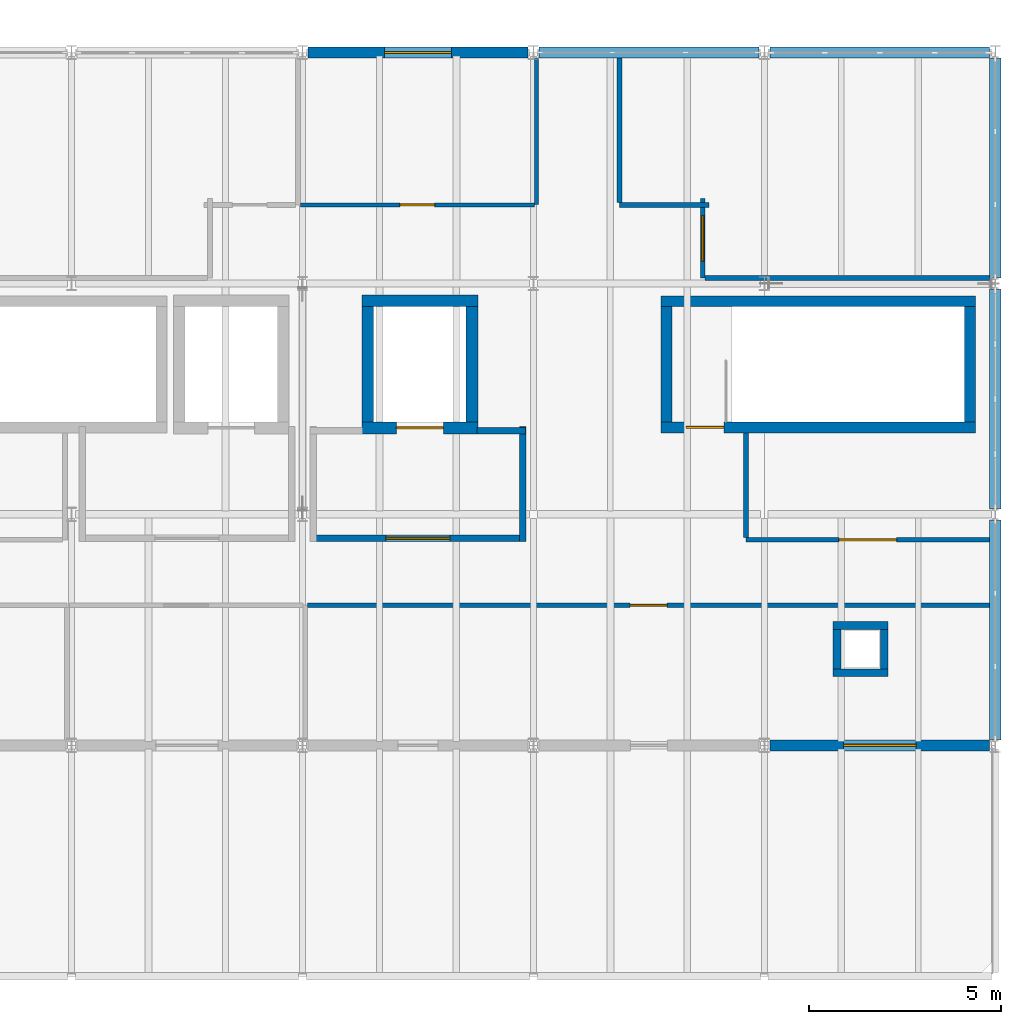
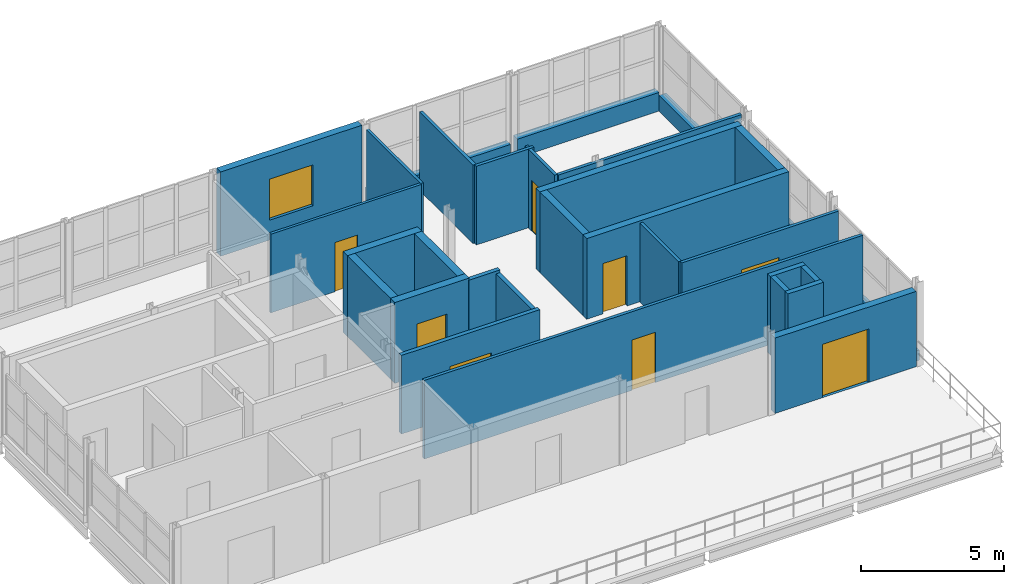
# One storey, part 17 of 20: 31 walls, 8 doors, 1 window, 9 openings.
"""IFC4 building model written with IfcOpenShell, lengths in metres."""

from ifc_helpers import new_model, si_unit, direction, frame, frame_2d, origin, place, context, subcontext, project, spatial, rectangle, extrude, material, layer, layer_set, type_object, element, fill, save


model = new_model("IFC4")

# Units and contexts
model_context = context("Model", 3, precision=1e-05, world=origin(), true_north=direction((0.0, 1.0)))
body_context = subcontext(model_context, "Body", "Model", "MODEL_VIEW")
ifc_project = project(units=[si_unit("LENGTHUNIT", "METRE"), si_unit("AREAUNIT", "SQUARE_METRE"), si_unit("VOLUMEUNIT", "CUBIC_METRE"), si_unit("PLANEANGLEUNIT", "RADIAN"), si_unit("MASSUNIT", "GRAM", prefix="KILO")], contexts=[model_context])

# Site, building, storey
site_placement = place(None, origin())
site = spatial("IfcSite", under=ifc_project, at=site_placement, CompositionType="ELEMENT")
building_placement = place(site_placement, origin())
building = spatial("IfcBuilding", under=site, at=building_placement, Name="Siltcreek Boulevard Central Fire Station", CompositionType="ELEMENT")
storey_placement = place(building_placement, frame((0.0, 0.0, 18.0)))
storey = spatial("IfcBuildingStorey", under=building, at=storey_placement, Name="L05", CompositionType="ELEMENT", Elevation=18.0)

# Wall, opening, door
ifc_material_1 = material(Name="Concrete C40/50", Category="concrete")
ifc_layer_1 = layer(ifc_material_1, 0.280029296875, Name="Concrete C40/50")
ifc_layer_set_1 = layer_set([ifc_layer_1], Name="Concrete C40/50")
wall_type_1 = type_object("IfcWallType", Name="CW_SHEAR280", PredefinedType="SHEAR", material=ifc_layer_set_1)
wall_1_placement = place(storey_placement, frame((145.52001953125, 102.4599609375, 0.0), z_axis=(0.0, 0.0, 1.0), x_axis=(1.0, 0.0, 0.0)))
wall_1 = element("IfcWall", 1, at=wall_1_placement, inside=storey, type_object=wall_type_1, Name="L05 ST-V5B stair enclosure south shear wall", PredefinedType="SHEAR", context=body_context, shape_type="SweptSolid", body=[
    extrude(rectangle(XDim=8.159912109375, YDim=0.280029296875, at=frame_2d((4.080078125, 0.0))), origin(), (0.0, 0.0, 1.0), 3.449951171875),
])
opening_1_placement = place(wall_1_placement, frame((0.64990234375, 0.0, 0.0)))
opening_1 = element("IfcOpeningElement", 2, at=opening_1_placement, cuts=wall_1, Name="Opening SD-043", PredefinedType="OPENING", context=body_context, shape_type="SweptSolid", body=[
    extrude(rectangle(XDim=0.97998046875, YDim=2.14990234375, at=frame_2d((0.489990234375, 1.074951171875))), frame((0.0, 0.14990234375, 0.0), z_axis=(0.0, -1.0, 0.0), x_axis=(1.0, 0.0, 0.0)), (0.0, 0.0, 1.0), 0.300048828125),
])
ifc_material_2 = material(Name="Hollow metal 90-min enclosed stair door")
door_type_1 = type_object("IfcDoorType", Name="DR_ST_098X215", OperationType="NOTDEFINED", PredefinedType="DOOR", material=ifc_material_2)
door_1_placement = place(opening_1_placement, origin())
door_1 = element("IfcDoor", 3, at=door_1_placement, inside=storey, type_object=door_type_1, Name="L05 ST-V5B enclosed exit stair door SD-043", OperationType="SINGLE_SWING_RIGHT", OverallHeight=2.14990234375, OverallWidth=0.97998046875, PredefinedType="DOOR", context=body_context, shape_type="SweptSolid", body=[
    extrude(rectangle(XDim=0.97998046875, YDim=2.14990234375, at=frame_2d((0.489990234375, 1.074951171875))), frame((0.0, 0.02490234375, 0.0), z_axis=(0.0, -1.0, 0.0), x_axis=(1.0, 0.0, 0.0)), (0.0, 0.0, 1.0), 0.050048828125),
])
fill(opening_1, door_1)

# Walls
wall_2_placement = place(storey_placement, frame((153.679931640625, 105.739990234375, 0.0), z_axis=(0.0, 0.0, 1.0), x_axis=(-1.0, 0.0, 0.0)))
element("IfcWall", 4, at=wall_2_placement, inside=storey, type_object=wall_type_1, Name="L05 ST-V5B stair enclosure north shear wall", PredefinedType="SHEAR", context=body_context, shape_type="SweptSolid", body=[
    extrude(rectangle(XDim=8.159912109375, YDim=0.280029296875, at=frame_2d((4.080078125, 0.0))), origin(), (0.0, 0.0, 1.0), 3.449951171875),
])
for number, where, z_axis, x_axis, name in (
    (5, (145.659912109375, 105.60009765625, 0.0), (0.0, 0.0, 1.0), (0.0, -1.0, 0.0), "L05 ST-V5B stair enclosure west shear wall"),
    (6, (153.5400390625, 102.60009765625, 0.0), (0.0, 0.0, 1.0), (0.0, 1.0, 0.0), "L05 ST-V5B stair enclosure east shear wall"),
):
    element("IfcWall", number, at=place(storey_placement, frame(where, z_axis=z_axis, x_axis=x_axis)), inside=storey, type_object=wall_type_1, Name=name, PredefinedType="SHEAR", context=body_context, shape_type="SweptSolid", body=[
        extrude(rectangle(XDim=3.0, YDim=0.280029296875, at=frame_2d((1.5, 0.0))), origin(), (0.0, 0.0, 1.0), 3.449951171875),
    ])

# Wall, opening, door
ifc_layer_2 = layer(ifc_material_1, 0.304931640625, Name="Concrete C40/50")
ifc_layer_set_2 = layer_set([ifc_layer_2], Name="Concrete C40/50")
wall_type_2 = type_object("IfcWallType", Name="CW_SHEAR305", PredefinedType="SHEAR", material=ifc_layer_set_2)
wall_3_placement = place(storey_placement, frame((137.7451171875, 102.447509765625, 0.0), z_axis=(0.0, 0.0, 1.0), x_axis=(1.0, 0.0, 0.0)))
wall_3 = element("IfcWall", 7, at=wall_3_placement, inside=storey, type_object=wall_type_2, Name="L05 EL-02 elevator shaft south shear wall", PredefinedType="SHEAR", context=body_context, shape_type="SweptSolid", body=[
    extrude(rectangle(XDim=3.009765625, YDim=0.304931640625, at=frame_2d((1.5048828125, 0.0))), origin(), (0.0, 0.0, 1.0), 3.449951171875),
])
opening_2_placement = place(wall_3_placement, frame((0.89501953125, 0.0, 0.0)))
opening_2 = element("IfcOpeningElement", 8, at=opening_2_placement, cuts=wall_3, Name="Opening LD02", PredefinedType="OPENING", context=body_context, shape_type="SweptSolid", body=[
    extrude(rectangle(XDim=1.219970703125, YDim=2.219970703125, at=frame_2d((0.60986328125, 1.10986328125))), frame((0.0, 0.162353515625, 0.0), z_axis=(0.0, -1.0, 0.0), x_axis=(1.0, 0.0, 0.0)), (0.0, 0.0, 1.0), 0.324951171875),
])
ifc_material_3 = material(Name="Stainless steel firefighting sliding elevator landing door", Category="steel")
door_type_2 = type_object("IfcDoorType", Name="DR_LD_122X222", OperationType="NOTDEFINED", PredefinedType="DOOR", material=ifc_material_3)
door_2_placement = place(opening_2_placement, origin())
door_2 = element("IfcDoor", 9, at=door_2_placement, inside=storey, type_object=door_type_2, Name="L05 EL-02 elevator sliding landing door LD-12", OperationType="SLIDING_TO_LEFT", OverallHeight=2.219970703125, OverallWidth=1.219970703125, PredefinedType="DOOR", context=body_context, shape_type="SweptSolid", body=[
    extrude(rectangle(XDim=1.219970703125, YDim=2.219970703125, at=frame_2d((0.60986328125, 1.10986328125))), frame((0.0, 0.02490234375, 0.0), z_axis=(0.0, -1.0, 0.0), x_axis=(1.0, 0.0, 0.0)), (0.0, 0.0, 1.0), 0.050048828125),
])
fill(opening_2, door_2)

# Walls
wall_4_placement = place(storey_placement, frame((140.7548828125, 105.75244140625, 0.0), z_axis=(0.0, 0.0, 1.0), x_axis=(-1.0, 0.0, 0.0)))
element("IfcWall", 10, at=wall_4_placement, inside=storey, type_object=wall_type_2, Name="L05 EL-02 elevator shaft north shear wall", PredefinedType="SHEAR", context=body_context, shape_type="SweptSolid", body=[
    extrude(rectangle(XDim=3.009765625, YDim=0.304931640625, at=frame_2d((1.5048828125, 0.0))), origin(), (0.0, 0.0, 1.0), 3.449951171875),
])
for number, where, z_axis, x_axis, name in (
    (11, (137.8974609375, 105.60009765625, 0.0), (0.0, 0.0, 1.0), (0.0, -1.0, 0.0), "L05 EL-02 elevator shaft west shear wall"),
    (12, (140.6025390625, 102.60009765625, 0.0), (0.0, 0.0, 1.0), (0.0, 1.0, 0.0), "L05 EL-02 elevator shaft east shear wall"),
):
    element("IfcWall", number, at=place(storey_placement, frame(where, z_axis=z_axis, x_axis=x_axis)), inside=storey, type_object=wall_type_2, Name=name, PredefinedType="SHEAR", context=body_context, shape_type="SweptSolid", body=[
        extrude(rectangle(XDim=3.0, YDim=0.304931640625, at=frame_2d((1.5, 0.0))), origin(), (0.0, 0.0, 1.0), 3.449951171875),
    ])

# Wall, opening, door
ifc_material_4 = material(Name="White ribbed aluminum spandrel wall", Category="aluminium")
ifc_layer_3 = layer(ifc_material_4, 0.2900390625, Name="White ribbed aluminum spandrel wall")
ifc_layer_set_3 = layer_set([ifc_layer_3], Name="White ribbed aluminum spandrel wall")
wall_type_3 = type_object("IfcWallType", Name="EW_METAL290", PredefinedType="STANDARD", material=ifc_layer_set_3)
wall_5_placement = place(storey_placement, frame((148.344970703125, 94.199951171875, 0.0), z_axis=(0.0, 0.0, 1.0), x_axis=(1.0, 0.0, 0.0)))
wall_5 = element("IfcWall", 13, at=wall_5_placement, inside=storey, type_object=wall_type_3, Name="L05 V5 exterior insulated rainscreen wall WL-EXT-L05-0417", PredefinedType="STANDARD", context=body_context, shape_type="SweptSolid", body=[
    extrude(rectangle(XDim=5.7099609375, YDim=0.2900390625, at=frame_2d((2.85498046875, 0.0))), origin(), (0.0, 0.0, 1.0), 3.218994140625),
])
opening_3_placement = place(wall_5_placement, frame((1.9150390625, 0.0, 0.0)))
opening_3 = element("IfcOpeningElement", 14, at=opening_3_placement, cuts=wall_5, Name="Opening TD-041", PredefinedType="OPENING", context=body_context, shape_type="SweptSolid", body=[
    extrude(rectangle(XDim=1.8798828125, YDim=2.280029296875, at=frame_2d((0.93994140625, 1.14013671875))), frame((0.0, 0.155029296875, 0.0), z_axis=(0.0, -1.0, 0.0), x_axis=(1.0, 0.0, 0.0)), (0.0, 0.0, 1.0), 0.31005859375),
])
ifc_material_5 = material(Name="Thermally broken glazed terrace double door")
door_type_3 = type_object("IfcDoorType", Name="DR_TER_188X228", OperationType="NOTDEFINED", PredefinedType="DOOR", material=ifc_material_5)
door_3_placement = place(opening_3_placement, frame((1.8798828125, 0.0, 0.0), z_axis=(0.0, 0.0, 1.0), x_axis=(-1.0, 0.0, 0.0)))
door_3 = element("IfcDoor", 15, at=door_3_placement, inside=storey, type_object=door_type_3, Name="L05 V5 outdoor terrace access door TD-041", OperationType="DOUBLE_DOOR_SINGLE_SWING", OverallHeight=2.280029296875, OverallWidth=1.8798828125, PredefinedType="DOOR", context=body_context, shape_type="SweptSolid", body=[
    extrude(rectangle(XDim=1.8798828125, YDim=2.280029296875, at=frame_2d((0.93994140625, 1.14013671875))), frame((0.0, 0.02490234375, 0.0), z_axis=(0.0, -1.0, 0.0), x_axis=(1.0, 0.0, 0.0)), (0.0, 0.0, 1.0), 0.050048828125),
])
fill(opening_3, door_3)

# Wall, opening, window
wall_6_placement = place(storey_placement, frame((142.054931640625, 112.199951171875, 0.0), z_axis=(0.0, 0.0, 1.0), x_axis=(-1.0, 0.0, 0.0)))
wall_6 = element("IfcWall", 16, at=wall_6_placement, inside=storey, type_object=wall_type_3, Name="L05 V5 exterior insulated rainscreen wall WL-EXT-L05-0420", PredefinedType="STANDARD", context=body_context, shape_type="SweptSolid", body=[
    extrude(rectangle(XDim=5.7099609375, YDim=0.2900390625, at=frame_2d((2.85498046875, 0.0))), origin(), (0.0, 0.0, 1.0), 3.60009765625),
])
opening_4_placement = place(wall_6_placement, frame((1.97998046875, 0.0, 0.85009765625)))
opening_4 = element("IfcOpeningElement", 17, at=opening_4_placement, cuts=wall_6, Name="Opening WN20", PredefinedType="OPENING", context=body_context, shape_type="SweptSolid", body=[
    extrude(rectangle(XDim=1.75, YDim=1.75, at=frame_2d((0.875, 0.875))), frame((0.0, 0.155029296875, 0.0), z_axis=(0.0, -1.0, 0.0), x_axis=(1.0, 0.0, 0.0)), (0.0, 0.0, 1.0), 0.31005859375),
])
ifc_material_6 = material(Name="Thermally broken aluminum frame with low-E insulated glass", Category="aluminium")
window_type = type_object("IfcWindowType", Name="WN_PB_175X175", PartitioningType="SINGLE_PANEL", PredefinedType="WINDOW", material=ifc_material_6)
window_placement = place(opening_4_placement, origin())
window = element("IfcWindow", 18, at=window_placement, inside=storey, type_object=window_type, Name="L05 V5 exterior window WN-0161", OverallHeight=1.75, OverallWidth=1.75, PartitioningType="SINGLE_PANEL", PredefinedType="WINDOW", context=body_context, shape_type="SweptSolid", body=[
    extrude(rectangle(XDim=1.75, YDim=1.75, at=frame_2d((0.875, 0.875))), frame((0.0, 0.030029296875, 0.0), z_axis=(0.0, -1.0, 0.0), x_axis=(1.0, 0.0, 0.0)), (0.0, 0.0, 1.0), 0.06005859375),
])
fill(opening_4, window)

# Walls
wall_7_placement = place(storey_placement, frame((148.054931640625, 112.199951171875, 0.0), z_axis=(0.0, 0.0, 1.0), x_axis=(-1.0, 0.0, 0.0)))
element("IfcWall", 19, at=wall_7_placement, inside=storey, type_object=wall_type_3, Name="L05 V5 curtain-wall sill spandrel 0421", PredefinedType="STANDARD", context=body_context, shape_type="SweptSolid", body=[
    extrude(rectangle(XDim=5.7099609375, YDim=0.2900390625, at=frame_2d((2.85498046875, 0.0))), origin(), (0.0, 0.0, 1.0), 0.679931640625),
])
wall_8_placement = place(storey_placement, frame((154.054931640625, 112.199951171875, 0.0), z_axis=(0.0, 0.0, 1.0), x_axis=(-1.0, 0.0, 0.0)))
element("IfcWall", 20, at=wall_8_placement, inside=storey, type_object=wall_type_3, Name="L05 V5 curtain-wall sill spandrel 0422", PredefinedType="STANDARD", context=body_context, shape_type="SweptSolid", body=[
    extrude(rectangle(XDim=5.7099609375, YDim=0.2900390625, at=frame_2d((2.85498046875, 0.0))), origin(), (0.0, 0.0, 1.0), 0.800048828125),
])
wall_9_placement = place(storey_placement, frame((154.199951171875, 94.344970703125, 0.0), z_axis=(0.0, 0.0, 1.0), x_axis=(0.0, 1.0, 0.0)))
element("IfcWall", 21, at=wall_9_placement, inside=storey, type_object=wall_type_3, Name="L05 V5 curtain-wall sill spandrel 0426", PredefinedType="STANDARD", context=body_context, shape_type="SweptSolid", body=[
    extrude(rectangle(XDim=5.7099609375, YDim=0.2900390625, at=frame_2d((2.85498046875, 0.0))), origin(), (0.0, 0.0, 1.0), 0.43994140625),
])
wall_10_placement = place(storey_placement, frame((154.199951171875, 100.344970703125, 0.0), z_axis=(0.0, 0.0, 1.0), x_axis=(0.0, 1.0, 0.0)))
element("IfcWall", 22, at=wall_10_placement, inside=storey, type_object=wall_type_3, Name="L05 V5 curtain-wall sill spandrel 0427", PredefinedType="STANDARD", context=body_context, shape_type="SweptSolid", body=[
    extrude(rectangle(XDim=5.7099609375, YDim=0.2900390625, at=frame_2d((2.85498046875, 0.0))), origin(), (0.0, 0.0, 1.0), 0.56005859375),
])
wall_11_placement = place(storey_placement, frame((154.199951171875, 106.344970703125, 0.0), z_axis=(0.0, 0.0, 1.0), x_axis=(0.0, 1.0, 0.0)))
element("IfcWall", 23, at=wall_11_placement, inside=storey, type_object=wall_type_3, Name="L05 V5 curtain-wall sill spandrel 0428", PredefinedType="STANDARD", context=body_context, shape_type="SweptSolid", body=[
    extrude(rectangle(XDim=5.7099609375, YDim=0.2900390625, at=frame_2d((2.85498046875, 0.0))), origin(), (0.0, 0.0, 1.0), 0.679931640625),
])
ifc_material_7 = material(Name="Fire-rated concrete masonry and gypsum barrier", Category="masonry")
ifc_layer_4 = layer(ifc_material_7, 0.199951171875, Name="Fire-rated concrete masonry and gypsum barrier")
ifc_layer_set_4 = layer_set([ifc_layer_4], Name="Fire-rated concrete masonry and gypsum barrier")
wall_type_4 = type_object("IfcWallType", Name="IW_FIRE200", PredefinedType="PARTITIONING", material=ifc_layer_set_4)
wall_12_placement = place(storey_placement, frame((149.985107421875, 96.0849609375, 0.0), z_axis=(0.0, 0.0, 1.0), x_axis=(1.0, 0.0, 0.0)))
element("IfcWall", 24, at=wall_12_placement, inside=storey, type_object=wall_type_4, Name="L05 enclosed MEP service riser wall 030-S", PredefinedType="PARTITIONING", context=body_context, shape_type="SweptSolid", body=[
    extrude(rectangle(XDim=1.429931640625, YDim=0.199951171875, at=frame_2d((0.71484375, 0.0))), origin(), (0.0, 0.0, 1.0), 3.360107421875),
])
wall_13_placement = place(storey_placement, frame((151.31494140625, 96.18505859375, 0.0), z_axis=(0.0, 0.0, 1.0), x_axis=(0.0, 1.0, 0.0)))
element("IfcWall", 25, at=wall_13_placement, inside=storey, type_object=wall_type_4, Name="L05 enclosed MEP service riser wall 030-E", PredefinedType="PARTITIONING", context=body_context, shape_type="SweptSolid", body=[
    extrude(rectangle(XDim=1.030029296875, YDim=0.199951171875, at=frame_2d((0.51513671875, 0.0))), origin(), (0.0, 0.0, 1.0), 3.360107421875),
])
wall_14_placement = place(storey_placement, frame((151.4150390625, 97.31494140625, 0.0), z_axis=(0.0, 0.0, 1.0), x_axis=(-1.0, 0.0, 0.0)))
element("IfcWall", 26, at=wall_14_placement, inside=storey, type_object=wall_type_4, Name="L05 enclosed MEP service riser wall 030-N", PredefinedType="PARTITIONING", context=body_context, shape_type="SweptSolid", body=[
    extrude(rectangle(XDim=1.429931640625, YDim=0.199951171875, at=frame_2d((0.71484375, 0.0))), origin(), (0.0, 0.0, 1.0), 3.360107421875),
])
wall_15_placement = place(storey_placement, frame((150.0849609375, 97.215087890625, 0.0), z_axis=(0.0, 0.0, 1.0), x_axis=(0.0, -1.0, 0.0)))
element("IfcWall", 27, at=wall_15_placement, inside=storey, type_object=wall_type_4, Name="L05 enclosed MEP service riser wall 030-W", PredefinedType="PARTITIONING", context=body_context, shape_type="SweptSolid", body=[
    extrude(rectangle(XDim=1.030029296875, YDim=0.199951171875, at=frame_2d((0.51513671875, 0.0))), origin(), (0.0, 0.0, 1.0), 3.360107421875),
])

# Wall, opening, door
ifc_material_8 = material(Name="Interior steel stud gypsum partition", Category="steel")
ifc_layer_5 = layer(ifc_material_8, 0.125, Name="Interior steel stud gypsum partition")
ifc_layer_set_5 = layer_set([ifc_layer_5], Name="Interior steel stud gypsum partition")
wall_type_5 = type_object("IfcWallType", Name="IW_PART125", PredefinedType="PARTITIONING", material=ifc_layer_set_5)
wall_16_placement = place(storey_placement, frame((136.33251953125, 97.840087890625, 0.0), z_axis=(0.0, 0.0, 1.0), x_axis=(1.0, 0.0, 0.0)))
wall_16 = element("IfcWall", 28, at=wall_16_placement, inside=storey, type_object=wall_type_5, Name="L05 Emergency Operations Hall partition 0335", PredefinedType="PARTITIONING", context=body_context, shape_type="SweptSolid", body=[
    extrude(rectangle(XDim=17.722412109375, YDim=0.125, at=frame_2d((8.861328125, 0.0))), origin(), (0.0, 0.0, 1.0), 3.360107421875),
])
opening_5_placement = place(wall_16_placement, frame((8.381103515625, 0.0, 0.0)))
opening_5 = element("IfcOpeningElement", 29, at=opening_5_placement, cuts=wall_16, Name="Opening ID02", PredefinedType="OPENING", context=body_context, shape_type="SweptSolid", body=[
    extrude(rectangle(XDim=0.9599609375, YDim=2.14990234375, at=frame_2d((0.47998046875, 1.074951171875))), frame((0.0, 0.072509765625, 0.0), z_axis=(0.0, -1.0, 0.0), x_axis=(1.0, 0.0, 0.0)), (0.0, 0.0, 1.0), 0.14501953125),
])
ifc_material_9 = material(Name="Solid-core timber headquarters office door", Category="wood")
door_type_4 = type_object("IfcDoorType", Name="DR_OFF_096X215", OperationType="NOTDEFINED", PredefinedType="DOOR", material=ifc_material_9)
door_4_placement = place(opening_5_placement, origin())
door_4 = element("IfcDoor", 30, at=door_4_placement, inside=storey, type_object=door_type_4, Name="L05 Emergency Operations Hall door ID-0147", OperationType="SINGLE_SWING_RIGHT", OverallHeight=2.14990234375, OverallWidth=0.9599609375, PredefinedType="DOOR", context=body_context, shape_type="SweptSolid", body=[
    extrude(rectangle(XDim=0.9599609375, YDim=2.14990234375, at=frame_2d((0.47998046875, 1.074951171875))), frame((0.0, 0.02490234375, 0.0), z_axis=(0.0, -1.0, 0.0), x_axis=(1.0, 0.0, 0.0)), (0.0, 0.0, 1.0), 0.050048828125),
])
fill(opening_5, door_4)

wall_17_placement = place(storey_placement, frame((146.60009765625, 106.33740234375, 0.0), z_axis=(0.0, 0.0, 1.0), x_axis=(0.0, 1.0, 0.0)))
wall_17 = element("IfcWall", 31, at=wall_17_placement, inside=storey, type_object=wall_type_5, Name="L05 Regional Situation Briefing Room partition 0345", PredefinedType="PARTITIONING", context=body_context, shape_type="SweptSolid", body=[
    extrude(rectangle(XDim=2.065185546875, YDim=0.125, at=frame_2d((1.03271484375, 0.0))), origin(), (0.0, 0.0, 1.0), 3.360107421875),
])
opening_6_placement = place(wall_17_placement, frame((0.4423828125, 0.0, 0.0)))
opening_6 = element("IfcOpeningElement", 32, at=opening_6_placement, cuts=wall_17, Name="Opening ID13", PredefinedType="OPENING", context=body_context, shape_type="SweptSolid", body=[
    extrude(rectangle(XDim=1.179931640625, YDim=2.159912109375, at=frame_2d((0.58984375, 1.080078125))), frame((0.0, 0.072509765625, 0.0), z_axis=(0.0, -1.0, 0.0), x_axis=(1.0, 0.0, 0.0)), (0.0, 0.0, 1.0), 0.14501953125),
])
ifc_material_10 = material(Name="Antimicrobial walk-in triage door")
door_type_5 = type_object("IfcDoorType", Name="DR_MED_118X216", OperationType="NOTDEFINED", PredefinedType="DOOR", material=ifc_material_10)
door_5_placement = place(opening_6_placement, origin())
door_5 = element("IfcDoor", 33, at=door_5_placement, inside=storey, type_object=door_type_5, Name="L05 Regional Situation Briefing Room door ID-0152", OperationType="SINGLE_SWING_LEFT", OverallHeight=2.159912109375, OverallWidth=1.179931640625, PredefinedType="DOOR", context=body_context, shape_type="SweptSolid", body=[
    extrude(rectangle(XDim=1.179931640625, YDim=2.159912109375, at=frame_2d((0.58984375, 1.080078125))), frame((0.0, 0.02490234375, 0.0), z_axis=(0.0, -1.0, 0.0), x_axis=(1.0, 0.0, 0.0)), (0.0, 0.0, 1.0), 0.050048828125),
])
fill(opening_6, door_5)

# Walls
wall_18_placement = place(storey_placement, frame((146.762451171875, 108.239990234375, 0.0), z_axis=(0.0, 0.0, 1.0), x_axis=(-1.0, 0.0, 0.0)))
element("IfcWall", 34, at=wall_18_placement, inside=storey, type_object=wall_type_5, Name="L05 Regional Situation Briefing Room partition 0346", PredefinedType="PARTITIONING", context=body_context, shape_type="SweptSolid", body=[
    extrude(rectangle(XDim=2.324951171875, YDim=0.125, at=frame_2d((1.16259765625, 0.0))), origin(), (0.0, 0.0, 1.0), 3.360107421875),
])
wall_19_placement = place(storey_placement, frame((144.43994140625, 108.302490234375, 0.0), z_axis=(0.0, 0.0, 1.0), x_axis=(0.0, 1.0, 0.0)))
element("IfcWall", 35, at=wall_19_placement, inside=storey, type_object=wall_type_5, Name="L05 Regional Situation Briefing Room partition 0347", PredefinedType="PARTITIONING", context=body_context, shape_type="SweptSolid", body=[
    extrude(rectangle(XDim=3.75244140625, YDim=0.125, at=frame_2d((1.876220703125, 0.0))), origin(), (0.0, 0.0, 1.0), 3.360107421875),
])
wall_20_placement = place(storey_placement, frame((154.054931640625, 106.340087890625, 0.0), z_axis=(0.0, 0.0, 1.0), x_axis=(-1.0, 0.0, 0.0)))
element("IfcWall", 36, at=wall_20_placement, inside=storey, type_object=wall_type_5, Name="L05 Regional Situation Briefing Room partition 0348", PredefinedType="PARTITIONING", context=body_context, shape_type="SweptSolid", body=[
    extrude(rectangle(XDim=7.392333984375, YDim=0.125, at=frame_2d((3.6962890625, 0.0))), origin(), (0.0, 0.0, 1.0), 3.360107421875),
])

# Wall, opening, door
wall_21_placement = place(storey_placement, frame((154.054931640625, 99.5400390625, 0.0), z_axis=(0.0, 0.0, 1.0), x_axis=(-1.0, 0.0, 0.0)))
wall_21 = element("IfcWall", 37, at=wall_21_placement, inside=storey, type_object=wall_type_5, Name="L05 Emergency Logistics Planning Office partition 0349", PredefinedType="PARTITIONING", context=body_context, shape_type="SweptSolid", body=[
    extrude(rectangle(XDim=6.33740234375, YDim=0.125, at=frame_2d((3.168701171875, 0.0))), origin(), (0.0, 0.0, 1.0), 3.360107421875),
])
opening_7_placement = place(wall_21_placement, frame((2.418701171875, 0.0, 0.0)))
opening_7 = element("IfcOpeningElement", 38, at=opening_7_placement, cuts=wall_21, Name="Opening ID14", PredefinedType="OPENING", context=body_context, shape_type="SweptSolid", body=[
    extrude(rectangle(XDim=1.5, YDim=2.219970703125, at=frame_2d((0.75, 1.10986328125))), frame((0.0, 0.072509765625, 0.0), z_axis=(0.0, -1.0, 0.0), x_axis=(1.0, 0.0, 0.0)), (0.0, 0.0, 1.0), 0.14501953125),
])
ifc_material_11 = material(Name="Glazed conditioning gym pair")
door_type_6 = type_object("IfcDoorType", Name="DR_GYM_150X222", OperationType="NOTDEFINED", PredefinedType="DOOR", material=ifc_material_11)
door_6_placement = place(opening_7_placement, frame((1.5, 0.0, 0.0), z_axis=(0.0, 0.0, 1.0), x_axis=(-1.0, 0.0, 0.0)))
door_6 = element("IfcDoor", 39, at=door_6_placement, inside=storey, type_object=door_type_6, Name="L05 Emergency Logistics Planning Office door ID-0153", OperationType="SINGLE_SWING_RIGHT", OverallHeight=2.219970703125, OverallWidth=1.5, PredefinedType="DOOR", context=body_context, shape_type="SweptSolid", body=[
    extrude(rectangle(XDim=1.5, YDim=2.219970703125, at=frame_2d((0.75, 1.10986328125))), frame((0.0, 0.02490234375, 0.0), z_axis=(0.0, -1.0, 0.0), x_axis=(1.0, 0.0, 0.0)), (0.0, 0.0, 1.0), 0.050048828125),
])
fill(opening_7, door_6)

# Walls
wall_22_placement = place(storey_placement, frame((147.719970703125, 99.6025390625, 0.0), z_axis=(0.0, 0.0, 1.0), x_axis=(0.0, 1.0, 0.0)))
element("IfcWall", 40, at=wall_22_placement, inside=storey, type_object=wall_type_5, Name="L05 Emergency Logistics Planning Office partition 0350", PredefinedType="PARTITIONING", context=body_context, shape_type="SweptSolid", body=[
    extrude(rectangle(XDim=2.717529296875, YDim=0.125, at=frame_2d((1.35888671875, 0.0))), origin(), (0.0, 0.0, 1.0), 3.360107421875),
])
ifc_material_12 = material(Name="Acoustic smoke-barrier steel stud gypsum wall", Category="steel")
ifc_layer_6 = layer(ifc_material_12, 0.1650390625, Name="Acoustic smoke-barrier steel stud gypsum wall")
ifc_layer_set_6 = layer_set([ifc_layer_6], Name="Acoustic smoke-barrier steel stud gypsum wall")
wall_type_6 = type_object("IfcWallType", Name="IW_SMK165", PredefinedType="PARTITIONING", material=ifc_layer_set_6)
wall_23_placement = place(storey_placement, frame((141.919921875, 102.487548828125, 0.0), z_axis=(0.0, 0.0, 1.0), x_axis=(0.0, -1.0, 0.0)))
element("IfcWall", 41, at=wall_23_placement, inside=storey, type_object=wall_type_6, Name="L05 EL-02 elevator lobby E smoke partition", PredefinedType="PARTITIONING", context=body_context, shape_type="SweptSolid", body=[
    extrude(rectangle(XDim=2.987548828125, YDim=0.1650390625, at=frame_2d((1.49365234375, 0.0))), origin(), (0.0, 0.0, 1.0), 3.24560546875),
])
wall_24_placement = place(storey_placement, frame((140.735107421875, 102.375, 0.0), z_axis=(0.0, 0.0, 1.0), x_axis=(1.0, 0.0, 0.0)))
element("IfcWall", 42, at=wall_24_placement, inside=storey, type_object=wall_type_6, Name="L05 EL-02 elevator lobby NE smoke partition", PredefinedType="PARTITIONING", context=body_context, shape_type="SweptSolid", body=[
    extrude(rectangle(XDim=1.264892578125, YDim=0.1650390625, at=frame_2d((0.63232421875, 0.0))), origin(), (0.0, 0.0, 1.0), 3.360107421875),
])

# Wall, opening, door
wall_25_placement = place(storey_placement, frame((136.39990234375, 99.580078125, 0.0), z_axis=(0.0, 0.0, 1.0), x_axis=(1.0, 0.0, 0.0)))
wall_25 = element("IfcWall", 43, at=wall_25_placement, inside=storey, type_object=wall_type_6, Name="L05 EL-02 elevator lobby south smoke partition", PredefinedType="PARTITIONING", context=body_context, shape_type="SweptSolid", body=[
    extrude(rectangle(XDim=5.60009765625, YDim=0.1650390625, at=frame_2d((2.800048828125, 0.0))), origin(), (0.0, 0.0, 1.0), 3.360107421875),
])
opening_8_placement = place(wall_25_placement, frame((1.969970703125, 0.0, 0.0)))
opening_8 = element("IfcOpeningElement", 44, at=opening_8_placement, cuts=wall_25, Name="Opening FD02", PredefinedType="OPENING", context=body_context, shape_type="SweptSolid", body=[
    extrude(rectangle(XDim=1.659912109375, YDim=2.199951171875, at=frame_2d((0.830078125, 1.10009765625))), frame((0.0, 0.092529296875, 0.0), z_axis=(0.0, -1.0, 0.0), x_axis=(1.0, 0.0, 0.0)), (0.0, 0.0, 1.0), 0.18505859375),
])
ifc_material_13 = material(Name="Hollow metal smoke-barrier elevator lobby pair")
door_type_7 = type_object("IfcDoorType", Name="DR_LOB_166X220", OperationType="NOTDEFINED", PredefinedType="DOOR", material=ifc_material_13)
door_7_placement = place(opening_8_placement, frame((1.659912109375, 0.0, 0.0), z_axis=(0.0, 0.0, 1.0), x_axis=(-1.0, 0.0, 0.0)))
door_7 = element("IfcDoor", 45, at=door_7_placement, inside=storey, type_object=door_type_7, Name="L05 EL-02 elevator lobby smoke door", OperationType="DOUBLE_DOOR_SINGLE_SWING", OverallHeight=2.199951171875, OverallWidth=1.659912109375, PredefinedType="DOOR", context=body_context, shape_type="SweptSolid", body=[
    extrude(rectangle(XDim=1.659912109375, YDim=2.199951171875, at=frame_2d((0.830078125, 1.10009765625))), frame((0.0, 0.02490234375, 0.0), z_axis=(0.0, -1.0, 0.0), x_axis=(1.0, 0.0, 0.0)), (0.0, 0.0, 1.0), 0.050048828125),
])
fill(opening_8, door_7)

# Wall
ifc_material_14 = material(Name="Moisture-resistant tile backer toilet partition", Category="gypsum")
ifc_layer_7 = layer(ifc_material_14, 0.110107421875, Name="Moisture-resistant tile backer toilet partition")
ifc_layer_set_7 = layer_set([ifc_layer_7], Name="Moisture-resistant tile backer toilet partition")
wall_type_7 = type_object("IfcWallType", Name="IW_WET110", PredefinedType="PARTITIONING", material=ifc_layer_set_7)
wall_26_placement = place(storey_placement, frame((142.280029296875, 112.054931640625, 0.0), z_axis=(0.0, 0.0, 1.0), x_axis=(0.0, -1.0, 0.0)))
element("IfcWall", 46, at=wall_26_placement, inside=storey, type_object=wall_type_7, Name="L05 EOC Accessible Toilet L05 partition 0343", PredefinedType="PARTITIONING", context=body_context, shape_type="SweptSolid", body=[
    extrude(rectangle(XDim=3.809814453125, YDim=0.110107421875, at=frame_2d((1.90478515625, 0.0))), origin(), (0.0, 0.0, 1.0), 3.360107421875),
])

# Wall, opening, door
wall_27_placement = place(storey_placement, frame((142.22509765625, 108.239990234375, 0.0), z_axis=(0.0, 0.0, 1.0), x_axis=(-1.0, 0.0, 0.0)))
wall_27 = element("IfcWall", 47, at=wall_27_placement, inside=storey, type_object=wall_type_7, Name="L05 EOC Accessible Toilet L05 partition 0344", PredefinedType="PARTITIONING", context=body_context, shape_type="SweptSolid", body=[
    extrude(rectangle(XDim=6.08251953125, YDim=0.110107421875, at=frame_2d((3.041259765625, 0.0))), origin(), (0.0, 0.0, 1.0), 3.360107421875),
])
opening_9_placement = place(wall_27_placement, frame((2.59130859375, 0.0, 0.0)))
opening_9 = element("IfcOpeningElement", 48, at=opening_9_placement, cuts=wall_27, Name="Opening ID08", PredefinedType="OPENING", context=body_context, shape_type="SweptSolid", body=[
    extrude(rectangle(XDim=0.89990234375, YDim=2.10009765625, at=frame_2d((0.449951171875, 1.050048828125))), frame((0.0, 0.06494140625, 0.0), z_axis=(0.0, -1.0, 0.0), x_axis=(1.0, 0.0, 0.0)), (0.0, 0.0, 1.0), 0.130126953125),
])
ifc_material_15 = material(Name="Moisture-resistant accessible toilet door")
door_type_8 = type_object("IfcDoorType", Name="DR_WC_090X210", OperationType="NOTDEFINED", PredefinedType="DOOR", material=ifc_material_15)
door_8_placement = place(opening_9_placement, frame((0.89990234375, 0.0, 0.0), z_axis=(0.0, 0.0, 1.0), x_axis=(-1.0, 0.0, 0.0)))
door_8 = element("IfcDoor", 49, at=door_8_placement, inside=storey, type_object=door_type_8, Name="L05 EOC Accessible Toilet L05 door ID-0151", OperationType="SINGLE_SWING_RIGHT", OverallHeight=2.10009765625, OverallWidth=0.89990234375, PredefinedType="DOOR", context=body_context, shape_type="SweptSolid", body=[
    extrude(rectangle(XDim=0.89990234375, YDim=2.10009765625, at=frame_2d((0.449951171875, 1.050048828125))), frame((0.0, 0.02490234375, 0.0), z_axis=(0.0, -1.0, 0.0), x_axis=(1.0, 0.0, 0.0)), (0.0, 0.0, 1.0), 0.050048828125),
])
fill(opening_9, door_8)

save(model, "model.ifc")
